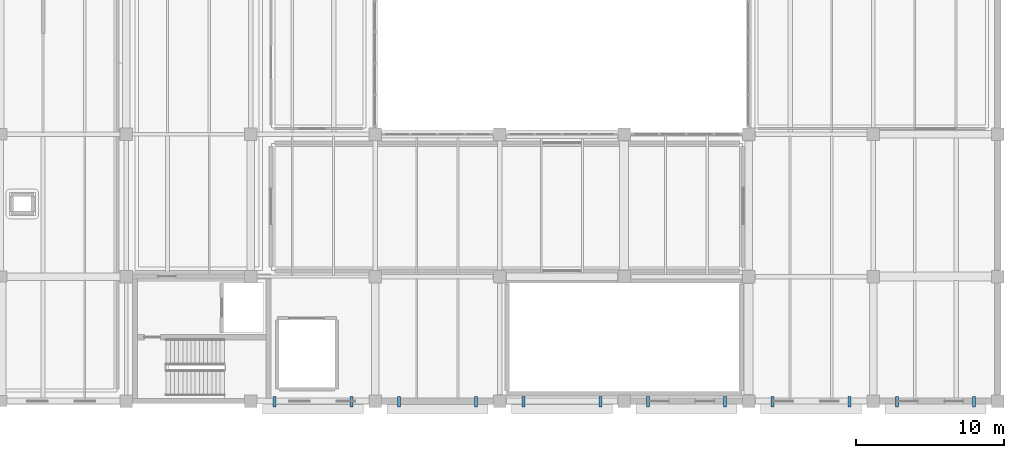
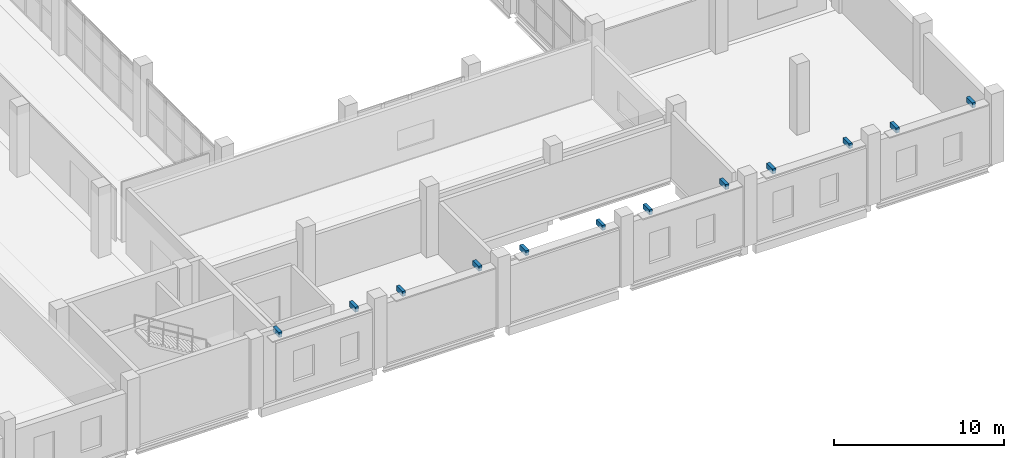
# One storey, part 54 of 66: 12 discrete accessories.
"""IFC4 building model written with IfcOpenShell, lengths in metres."""

from ifc_helpers import new_model, si_unit, direction, frame, origin, origin_2d, place, context, subcontext, project, spatial, rectangle, extrude, material, type_object, element, save


model = new_model("IFC4")

# Units and contexts
model_context = context("Model", 3, precision=1e-05, world=origin(), true_north=direction((0.0, 1.0)))
body_context = subcontext(model_context, "Body", "Model", "MODEL_VIEW")
ifc_project = project(units=[si_unit("LENGTHUNIT", "METRE"), si_unit("AREAUNIT", "SQUARE_METRE"), si_unit("VOLUMEUNIT", "CUBIC_METRE"), si_unit("PLANEANGLEUNIT", "RADIAN"), si_unit("MASSUNIT", "GRAM", prefix="KILO")], contexts=[model_context])

# Site, building, storey
site_placement = place(None, origin())
site = spatial("IfcSite", under=ifc_project, at=site_placement, CompositionType="ELEMENT")
building_placement = place(site_placement, origin())
building = spatial("IfcBuilding", under=site, at=building_placement, Name="Zulmaris Art Gallery", CompositionType="ELEMENT")
storey_placement = place(building_placement, frame((0.0, 0.0, 5.39990234375)))
storey = spatial("IfcBuildingStorey", under=building, at=storey_placement, Name="L01", CompositionType="ELEMENT", Elevation=5.39990234375)

# Discrete accessories
ifc_material = material(Name="Steel S355J2", Category="steel")
discrete_accessory_type = type_object("IfcDiscreteAccessoryType", Name="ACC-BRK01", PredefinedType="BRACKET", material=ifc_material)
for number, where, z_axis, x_axis, name in (
    (1, (151.60009765625, 13.14990234375, 4.56982421875), (0.0, 0.0, 1.0), (1.0, 0.0, 0.0), "L01 Solar louvre bracket"),
    (2, (156.800048828125, 13.14990234375, 4.56982421875), (0.0, 0.0, 1.0), (1.0, 0.0, 0.0), "L01 Solar louvre bracket"),
    (3, (160.0, 13.14990234375, 4.56982421875), (0.0, 0.0, 1.0), (1.0, 0.0, 0.0), "L01 Solar louvre bracket"),
    (4, (165.199951171875, 13.14990234375, 4.56982421875), (0.0, 0.0, 1.0), (1.0, 0.0, 0.0), "L01 Solar louvre bracket"),
    (5, (168.39990234375, 13.14990234375, 4.56982421875), (0.0, 0.0, 1.0), (1.0, 0.0, 0.0), "L01 Solar louvre bracket"),
    (6, (173.60009765625, 13.14990234375, 4.56982421875), (0.0, 0.0, 1.0), (1.0, 0.0, 0.0), "L01 Solar louvre bracket"),
    (7, (176.800048828125, 13.14990234375, 4.56982421875), (0.0, 0.0, 1.0), (1.0, 0.0, 0.0), "L01 Solar louvre bracket"),
    (8, (182.0, 13.14990234375, 4.56982421875), (0.0, 0.0, 1.0), (1.0, 0.0, 0.0), "L01 Solar louvre bracket"),
    (9, (185.199951171875, 13.14990234375, 4.56982421875), (0.0, 0.0, 1.0), (1.0, 0.0, 0.0), "L01 Solar louvre bracket"),
    (10, (190.39990234375, 13.14990234375, 4.56982421875), (0.0, 0.0, 1.0), (1.0, 0.0, 0.0), "L01 Solar louvre bracket"),
    (11, (193.60009765625, 13.14990234375, 4.56982421875), (0.0, 0.0, 1.0), (1.0, 0.0, 0.0), "L01 Solar louvre bracket"),
    (12, (198.800048828125, 13.14990234375, 4.56982421875), (0.0, 0.0, 1.0), (1.0, 0.0, 0.0), "L01 Solar louvre bracket"),
):
    element("IfcDiscreteAccessory", number, at=place(storey_placement, frame(where, z_axis=z_axis, x_axis=x_axis)), inside=storey, type_object=discrete_accessory_type, Name=name, PredefinedType="BRACKET", context=body_context, shape_type="SweptSolid", body=[
        extrude(rectangle(XDim=0.219970703125, YDim=0.719970703125, at=origin_2d()), origin(), (0.0, 0.0, 1.0), 0.360107421875),
    ])

save(model, "model.ifc")
